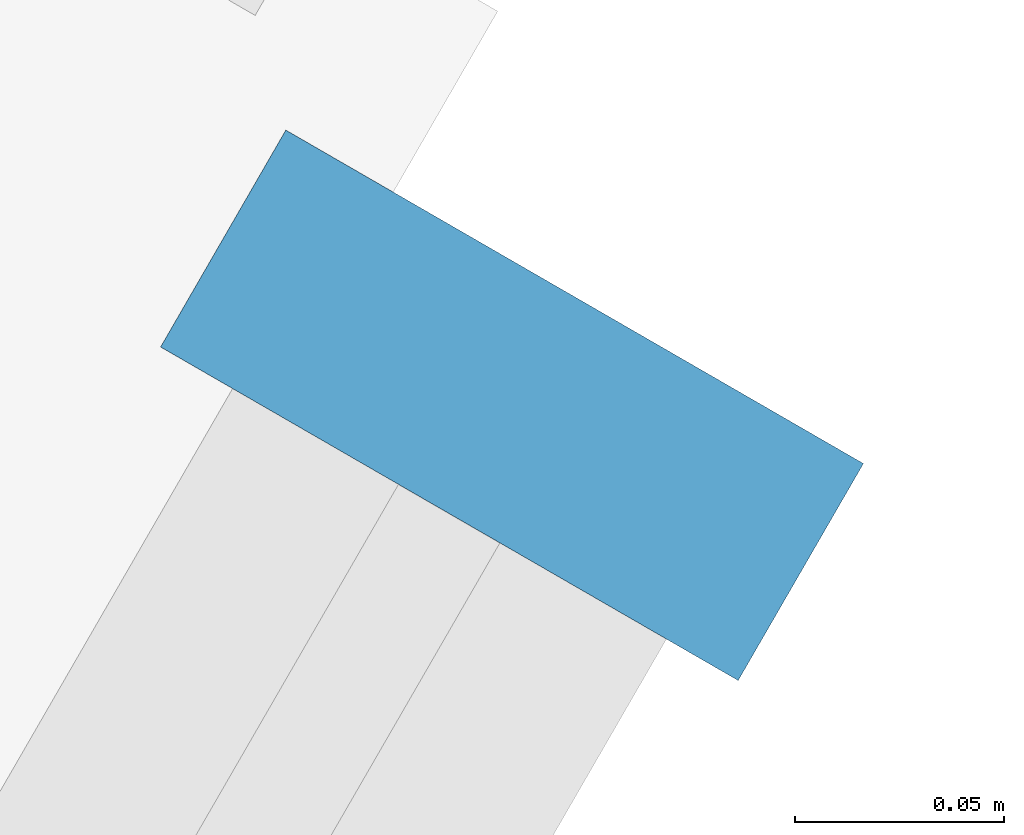
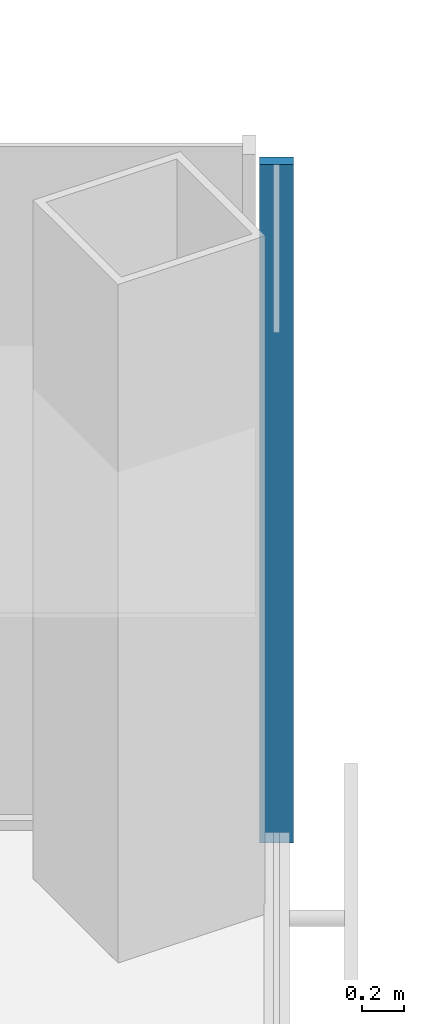
# One storey, part 9 of 19: 1 member, 1 element without a shape of its own.
"""IFC4 building model written with IfcOpenShell, lengths in metres."""

from ifc_helpers import new_model, si_unit, direction, frame, origin, origin_2d, place, context, subcontext, project, spatial, rectangle, extrude, material, material_profile, profile_set, type_object, element, aggregate, save


model = new_model("IFC4")

# Units and contexts
model_context = context("Model", 3, precision=1e-05, world=origin(), true_north=direction((0.0, 1.0)))
body_context = subcontext(model_context, "Body", "Model", "MODEL_VIEW")
ifc_project = project(units=[si_unit("LENGTHUNIT", "METRE"), si_unit("AREAUNIT", "SQUARE_METRE"), si_unit("VOLUMEUNIT", "CUBIC_METRE"), si_unit("PLANEANGLEUNIT", "RADIAN"), si_unit("MASSUNIT", "GRAM", prefix="KILO")], contexts=[model_context])

# Site, building, storey
site_placement = place(None, origin())
site = spatial("IfcSite", under=ifc_project, at=site_placement, CompositionType="ELEMENT")
building_placement = place(site_placement, origin())
building = spatial("IfcBuilding", under=site, at=building_placement, Name="Kasaneha Research Tower", CompositionType="ELEMENT")
storey_placement = place(building_placement, frame((0.0, 0.0, 84.60009765625)))
storey = spatial("IfcBuildingStorey", under=building, at=storey_placement, Name="L21", CompositionType="ELEMENT", Elevation=84.60009765625)

# Curtain wall, member
ifc_material_1 = material(Name="Glass and aluminium", Category="aluminium")
curtain_wall_type = type_object("IfcCurtainWallType", Name="Low-rise office curtain wall", PredefinedType="USERDEFINED", material=ifc_material_1)
curtain_wall_placement = place(storey_placement, origin())
curtain_wall = element("IfcCurtainWall", 1, at=curtain_wall_placement, inside=storey, type_object=curtain_wall_type, Name="CW-O1 L21 run 05a", ObjectType="UNITISED CURTAIN WALL", PredefinedType="USERDEFINED")
ifc_material_2 = material(Name="Aluminium 6063-T6", Category="aluminium")
ifc_material_profile = material_profile(ifc_material_2, rectangle(XDim=0.06005859375, YDim=0.159912109375, at=origin_2d()), Name="CW-O1 mullion 60x160")
ifc_profile_set = profile_set([ifc_material_profile], Name="Aluminium 6063-T6")
member_type = type_object("IfcMemberType", Name="CW-O1 mullion", PredefinedType="MULLION", material=ifc_profile_set)
member_placement = place(storey_placement, frame((32.012939453125, -6.39306640625, 0.0), z_axis=(0.0, 0.0, 1.0), x_axis=(0.500000011442, 0.866025397178, 0.0)))
member = element("IfcMember", 2, at=member_placement, type_object=member_type, Name="CW-O1 mullion 4", PredefinedType="MULLION", context=body_context, shape_type="SweptSolid", body=[
    extrude(rectangle(XDim=0.06005859375, YDim=0.159912109375, at=origin_2d()), origin(), (0.0, 0.0, 1.0), 3.89990234375),
])
aggregate(curtain_wall, [member])

save(model, "model.ifc")
